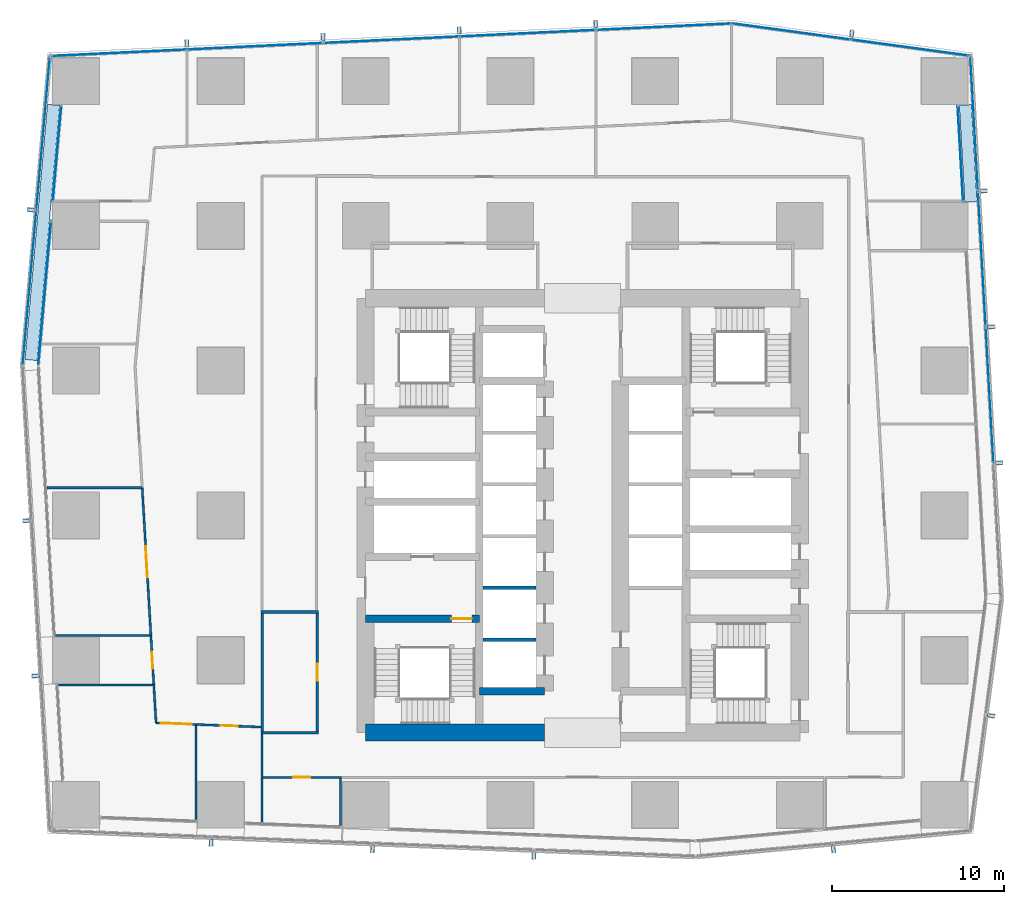
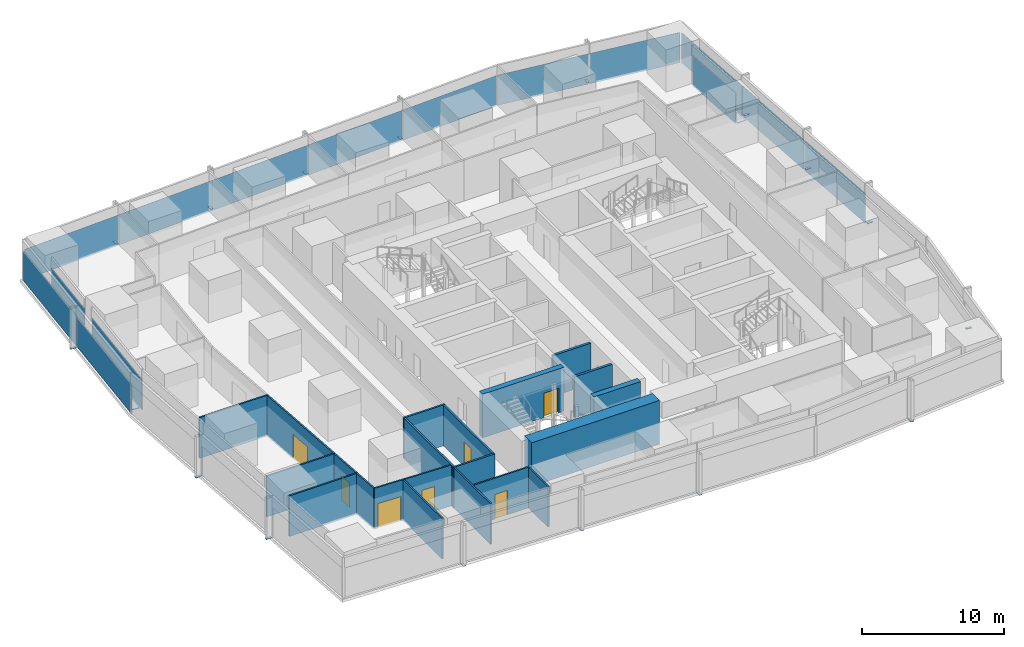
# One storey, part 24 of 36: 33 plates, 21 walls, 7 doors, 7 openings, 7 elements without a shape of their own.
"""IFC4 building model written with IfcOpenShell, lengths in metres."""

from ifc_helpers import new_model, si_unit, direction, frame, frame_2d, origin, origin_2d, place, context, subcontext, project, spatial, rectangle, extrude, material, layer, layer_set, type_object, element, fill, aggregate, save


model = new_model("IFC4")

# Units and contexts
model_context = context("Model", 3, precision=1e-05, world=origin(), true_north=direction((0.0, 1.0)))
body_context = subcontext(model_context, "Body", "Model", "MODEL_VIEW")
ifc_project = project(units=[si_unit("LENGTHUNIT", "METRE"), si_unit("AREAUNIT", "SQUARE_METRE"), si_unit("VOLUMEUNIT", "CUBIC_METRE"), si_unit("PLANEANGLEUNIT", "RADIAN"), si_unit("MASSUNIT", "GRAM", prefix="KILO")], contexts=[model_context])

# Site, building, storey
site_placement = place(None, origin())
site = spatial("IfcSite", under=ifc_project, at=site_placement, CompositionType="ELEMENT")
building_placement = place(site_placement, origin())
building = spatial("IfcBuilding", under=site, at=building_placement, Name="Rekha Terrace Tower", CompositionType="ELEMENT")
storey_placement = place(building_placement, frame((0.0, 0.0, 172.699951171875)))
storey = spatial("IfcBuildingStorey", under=building, at=storey_placement, Name="L43", CompositionType="ELEMENT", Elevation=172.699951171875)

# Plates
ifc_material_1 = material(Name="Steel S355 fixing plate bolted to the slab", Category="steel")
ifc_layer_1 = layer(ifc_material_1, 0.02001953125)
ifc_layer_set_1 = layer_set([ifc_layer_1], Name="Steel S355 fixing plate bolted to the slab")
plate_type_1 = type_object("IfcPlateType", Name="BL2 blade bracket plate 200 x 20", PredefinedType="USERDEFINED", material=ifc_layer_set_1)
for number, where, z_axis, x_axis, name in (
    (1, (16.2470703125, 14.61083984375, 0.0), (0.0, 0.0, 1.0), (-0.039871946621, -0.999204797763, 0.0), "Blade bracket"),
    (2, (25.605712890625, 14.2373046875, 0.0), (0.0, 0.0, 1.0), (-0.039871946621, -0.999204797763, 0.0), "Blade bracket"),
    (3, (34.96435546875, 13.864013671875, 0.0), (0.0, 0.0, 1.0), (-0.039871946621, -0.999204797763, 0.0), "Blade bracket"),
    (4, (52.3515625, 14.2353515625, 0.0), (0.0, 0.0, 1.0), (0.092709466242, -0.995693203185, 0.0), "Blade bracket"),
    (5, (61.51611328125, 21.979736328125, 0.0), (0.0, 0.0, 1.0), (0.991342269735, -0.131303100637, 0.0), "Blade bracket"),
    (6, (61.9609375, 36.655029296875, 0.0), (0.0, 0.0, 1.0), (0.998392758797, 0.056673619809, 0.0), "Blade bracket"),
    (7, (61.51318359375, 44.5458984375, 0.0), (0.0, 0.0, 1.0), (0.998392758797, 0.056673619809, 0.0), "Blade bracket"),
    (8, (61.065185546875, 52.4365234375, 0.0), (0.0, 0.0, 1.0), (0.998392758797, 0.056673619809, 0.0), "Blade bracket"),
    (9, (53.41796875, 61.568359375, 0.0), (0.0, 0.0, 1.0), (0.134840553943, 0.990867309488, 0.0), "Blade bracket"),
    (10, (38.552978515625, 62.130859375, 0.0), (0.0, 0.0, 1.0), (-0.04775846913, 0.998858913274, 0.0), "Blade bracket"),
    (11, (30.643798828125, 61.752685546875, 0.0), (0.0, 0.0, 1.0), (-0.04775846913, 0.998858913274, 0.0), "Blade bracket"),
    (12, (22.73486328125, 61.37451171875, 0.0), (0.0, 0.0, 1.0), (-0.04775846913, 0.998858913274, 0.0), "Blade bracket"),
    (13, (14.82568359375, 60.996337890625, 0.0), (0.0, 0.0, 1.0), (-0.04775846913, 0.998858913274, 0.0), "Blade bracket"),
    (14, (5.784912109375, 51.34033203125, 0.0), (0.0, 0.0, 1.0), (-0.996124250413, 0.087957249501, 0.0), "Blade bracket"),
    (15, (5.521240234375, 33.301025390625, 0.0), (0.0, 0.0, 1.0), (-0.998271872212, -0.058764522885, 0.0), "Blade bracket"),
    (16, (6.051513671875, 24.293212890625, 0.0), (0.0, 0.0, 1.0), (-0.998271872212, -0.058764522885, 0.0), "Blade bracket"),
):
    element("IfcPlate", number, at=place(storey_placement, frame(where, z_axis=z_axis, x_axis=x_axis)), inside=storey, type_object=plate_type_1, Name=name, ObjectType="BLADE BRACKET", PredefinedType="USERDEFINED", context=body_context, shape_type="SweptSolid", body=[
        extrude(rectangle(XDim=0.429931640625, YDim=0.199951171875, at=origin_2d()), origin(), (0.0, 0.0, 1.0), 0.02001953125),
    ])

# Curtain wall, plate
ifc_material_2 = material(Name="Aluminium framing", Category="aluminium")
curtain_wall_type_1 = type_object("IfcCurtainWallType", Name="CW1 double skin inner glazing", PredefinedType="USERDEFINED", material=ifc_material_2)
curtain_wall_1_placement = place(storey_placement, origin())
curtain_wall_1 = element("IfcCurtainWall", 17, at=curtain_wall_1_placement, inside=storey, type_object=curtain_wall_type_1, Name="CW1 double skin inner glazing", ObjectType="DOUBLE SKIN INNER GLAZING", PredefinedType="USERDEFINED")
ifc_material_3 = material(Name="Double-glazed low-e unit 32", Category="glass")
ifc_layer_2 = layer(ifc_material_3, 0.031982421875)
ifc_layer_set_2 = layer_set([ifc_layer_2], Name="Double-glazed low-e unit 32")
plate_type_2 = type_object("IfcPlateType", Name="CW1 jumbo vision panel, double-glazed low-e unit 32", PredefinedType="CURTAIN_PANEL", material=ifc_layer_set_2)
plate_1_placement = place(storey_placement, frame((59.720458984375, 54.60009765625, 0.0), z_axis=(0.0, 0.0, 1.0), x_axis=(-0.056673194929, 0.998392782915, 0.0)))
plate_1 = element("IfcPlate", 18, at=plate_1_placement, type_object=plate_type_2, Name="CW1 panel 1.1", PredefinedType="CURTAIN_PANEL", context=body_context, shape_type="SweptSolid", body=[
    extrude(rectangle(XDim=5.5283203125, YDim=0.031982421875, at=origin_2d()), origin(), (0.0, 0.0, 1.0), 2.60009765625),
])
aggregate(curtain_wall_1, [plate_1])

curtain_wall_2_placement = place(storey_placement, origin())
curtain_wall_2 = element("IfcCurtainWall", 19, at=curtain_wall_2_placement, inside=storey, type_object=curtain_wall_type_1, Name="CW1 double skin inner glazing", ObjectType="DOUBLE SKIN INNER GLAZING", PredefinedType="USERDEFINED")
plate_2_placement = place(storey_placement, frame((7.297607421875, 54.60009765625, 0.0), z_axis=(0.0, 0.0, 1.0), x_axis=(-0.087957985453, -0.996124185428, 0.0)))
plate_2 = element("IfcPlate", 20, at=plate_2_placement, type_object=plate_type_2, Name="CW1 panel 1.1", PredefinedType="CURTAIN_PANEL", context=body_context, shape_type="SweptSolid", body=[
    extrude(rectangle(XDim=5.535400390625, YDim=0.031982421875, at=origin_2d()), origin(), (0.0, 0.0, 1.0), 2.60009765625),
])
aggregate(curtain_wall_2, [plate_2])

curtain_wall_3_placement = place(storey_placement, origin())
curtain_wall_3 = element("IfcCurtainWall", 21, at=curtain_wall_3_placement, inside=storey, type_object=curtain_wall_type_1, Name="CW1 double skin inner glazing", ObjectType="DOUBLE SKIN INNER GLAZING", PredefinedType="USERDEFINED")
plate_3_placement = place(storey_placement, frame((6.580322265625, 46.477294921875, 0.0), z_axis=(0.0, 0.0, 1.0), x_axis=(-0.087957985558, -0.996124185419, 0.0)))
plate_3 = element("IfcPlate", 22, at=plate_3_placement, type_object=plate_type_2, Name="CW1 panel 1.1", PredefinedType="CURTAIN_PANEL", context=body_context, shape_type="SweptSolid", body=[
    extrude(rectangle(XDim=8.35791015625, YDim=0.031982421875, at=origin_2d()), origin(), (0.0, 0.0, 1.0), 2.60009765625),
])
aggregate(curtain_wall_3, [plate_3])

# Curtain wall, plates
curtain_wall_type_2 = type_object("IfcCurtainWallType", Name="CW2 double skin outer glazing", PredefinedType="USERDEFINED", material=ifc_material_2)
curtain_wall_4_placement = place(storey_placement, origin())
curtain_wall_4 = element("IfcCurtainWall", 23, at=curtain_wall_4_placement, inside=storey, type_object=curtain_wall_type_2, Name="CW2 double skin outer glazing", ObjectType="DOUBLE SKIN OUTER GLAZING", PredefinedType="USERDEFINED")
ifc_material_4 = material(Name="Toughened single glazing 12", Category="glass")
ifc_layer_3 = layer(ifc_material_4, 0.011962890625)
ifc_layer_set_3 = layer_set([ifc_layer_3], Name="Toughened single glazing 12")
plate_type_3 = type_object("IfcPlateType", Name="CW2 jumbo vision panel, toughened single glazing 12", PredefinedType="CURTAIN_PANEL", material=ifc_layer_set_3)
plate_4_placement = place(storey_placement, frame((61.41748046875, 40.582275390625, 0.0), z_axis=(0.0, 0.0, 1.0), x_axis=(-0.05667319486, 0.998392782919, 0.0)))
plate_4 = element("IfcPlate", 24, at=plate_4_placement, type_object=plate_type_3, Name="CW2 panel 2.1", PredefinedType="CURTAIN_PANEL", context=body_context, shape_type="SweptSolid", body=[
    extrude(rectangle(XDim=7.823486328125, YDim=0.011962890625, at=origin_2d()), origin(), (0.0, 0.0, 1.0), 2.60009765625),
])
plate_5_placement = place(storey_placement, frame((60.9697265625, 48.47314453125, 0.0), z_axis=(0.0, 0.0, 1.0), x_axis=(-0.05667319486, 0.998392782919, 0.0)))
plate_5 = element("IfcPlate", 25, at=plate_5_placement, type_object=plate_type_3, Name="CW2 panel 3.1", PredefinedType="CURTAIN_PANEL", context=body_context, shape_type="SweptSolid", body=[
    extrude(rectangle(XDim=7.823486328125, YDim=0.011962890625, at=origin_2d()), origin(), (0.0, 0.0, 1.0), 2.60009765625),
])
plate_6_placement = place(storey_placement, frame((60.522705078125, 56.343994140625, 0.0), z_axis=(0.0, 0.0, 1.0), x_axis=(-0.05667319486, 0.998392782919, 0.0)))
plate_6 = element("IfcPlate", 26, at=plate_6_placement, type_object=plate_type_3, Name="CW2 panel 4.1", PredefinedType="CURTAIN_PANEL", context=body_context, shape_type="SweptSolid", body=[
    extrude(rectangle(XDim=7.783447265625, YDim=0.011962890625, at=origin_2d()), origin(), (0.0, 0.0, 1.0), 2.60009765625),
])
aggregate(curtain_wall_4, [plate_4, plate_5, plate_6])

curtain_wall_5_placement = place(storey_placement, origin())
curtain_wall_5 = element("IfcCurtainWall", 27, at=curtain_wall_5_placement, inside=storey, type_object=curtain_wall_type_2, Name="CW2 double skin outer glazing", ObjectType="DOUBLE SKIN OUTER GLAZING", PredefinedType="USERDEFINED")
plate_7_placement = place(storey_placement, frame((6.498779296875, 55.78466796875, 0.0), z_axis=(0.0, 0.0, 1.0), x_axis=(-0.087957985453, -0.996124185428, 0.0)))
plate_7 = element("IfcPlate", 28, at=plate_7_placement, type_object=plate_type_3, Name="CW2 panel 1.1", PredefinedType="CURTAIN_PANEL", context=body_context, shape_type="SweptSolid", body=[
    extrude(rectangle(XDim=8.899658203125, YDim=0.011962890625, at=origin_2d()), origin(), (0.0, 0.0, 1.0), 2.60009765625),
])
plate_8_placement = place(storey_placement, frame((5.705322265625, 46.800048828125, 0.0), z_axis=(0.0, 0.0, 1.0), x_axis=(-0.087957985453, -0.996124185428, 0.0)))
plate_8 = element("IfcPlate", 29, at=plate_8_placement, type_object=plate_type_3, Name="CW2 panel 2.1", PredefinedType="CURTAIN_PANEL", context=body_context, shape_type="SweptSolid", body=[
    extrude(rectangle(XDim=8.9794921875, YDim=0.011962890625, at=origin_2d()), origin(), (0.0, 0.0, 1.0), 2.60009765625),
])
aggregate(curtain_wall_5, [plate_7, plate_8])

curtain_wall_type_3 = type_object("IfcCurtainWallType", Name="CW3 north unitised glazing", PredefinedType="USERDEFINED", material=ifc_material_2)
curtain_wall_6_placement = place(storey_placement, origin())
curtain_wall_6 = element("IfcCurtainWall", 30, at=curtain_wall_6_placement, inside=storey, type_object=curtain_wall_type_3, Name="CW3 unitised curtain wall", ObjectType="UNITISED CURTAIN WALL", PredefinedType="USERDEFINED")
ifc_material_5 = material(Name="Double-glazed unit 28", Category="glass")
ifc_layer_4 = layer(ifc_material_5, 0.028076171875)
ifc_layer_set_4 = layer_set([ifc_layer_4], Name="Double-glazed unit 28")
plate_type_4 = type_object("IfcPlateType", Name="CW3 jumbo vision panel, double-glazed unit 28", PredefinedType="CURTAIN_PANEL", material=ifc_layer_set_4)
plate_9_placement = place(storey_placement, frame((56.797119140625, 60.745361328125, 0.0), z_axis=(0.0, 0.0, 1.0), x_axis=(-0.990867270504, 0.134840840416, 0.0)))
plate_9 = element("IfcPlate", 31, at=plate_9_placement, type_object=plate_type_4, Name="CW3 panel 1.1", PredefinedType="CURTAIN_PANEL", context=body_context, shape_type="SweptSolid", body=[
    extrude(rectangle(XDim=6.8486328125, YDim=0.028076171875, at=origin_2d()), origin(), (0.0, 0.0, 1.0), 2.60009765625),
])
plate_10_placement = place(storey_placement, frame((49.906982421875, 61.682861328125, 0.0), z_axis=(0.0, 0.0, 1.0), x_axis=(-0.990867270504, 0.134840840416, 0.0)))
plate_10 = element("IfcPlate", 32, at=plate_10_placement, type_object=plate_type_4, Name="CW3 panel 2.1", PredefinedType="CURTAIN_PANEL", context=body_context, shape_type="SweptSolid", body=[
    extrude(rectangle(XDim=6.918701171875, YDim=0.028076171875, at=origin_2d()), origin(), (0.0, 0.0, 1.0), 2.60009765625),
])
aggregate(curtain_wall_6, [plate_9, plate_10])

curtain_wall_7_placement = place(storey_placement, origin())
curtain_wall_7 = element("IfcCurtainWall", 33, at=curtain_wall_7_placement, inside=storey, type_object=curtain_wall_type_3, Name="CW3 unitised curtain wall", ObjectType="UNITISED CURTAIN WALL", PredefinedType="USERDEFINED")
plate_11_placement = place(storey_placement, frame((42.50732421875, 61.95947265625, 0.0), z_axis=(0.0, 0.0, 1.0), x_axis=(-0.998858906204, -0.047758616983, 0.0)))
plate_11 = element("IfcPlate", 34, at=plate_11_placement, type_object=plate_type_4, Name="CW3 panel 1.1", PredefinedType="CURTAIN_PANEL", context=body_context, shape_type="SweptSolid", body=[
    extrude(rectangle(XDim=7.81298828125, YDim=0.028076171875, at=origin_2d()), origin(), (0.0, 0.0, 1.0), 2.60009765625),
])
plate_12_placement = place(storey_placement, frame((34.61572265625, 61.58203125, 0.0), z_axis=(0.0, 0.0, 1.0), x_axis=(-0.998858906204, -0.047758616983, 0.0)))
plate_12 = element("IfcPlate", 35, at=plate_12_placement, type_object=plate_type_4, Name="CW3 panel 2.1", PredefinedType="CURTAIN_PANEL", context=body_context, shape_type="SweptSolid", body=[
    extrude(rectangle(XDim=7.84814453125, YDim=0.028076171875, at=origin_2d()), origin(), (0.0, 0.0, 1.0), 2.60009765625),
])
plate_13_placement = place(storey_placement, frame((26.70654296875, 61.203857421875, 0.0), z_axis=(0.0, 0.0, 1.0), x_axis=(-0.998858906204, -0.047758616983, 0.0)))
plate_13 = element("IfcPlate", 36, at=plate_13_placement, type_object=plate_type_4, Name="CW3 panel 3.1", PredefinedType="CURTAIN_PANEL", context=body_context, shape_type="SweptSolid", body=[
    extrude(rectangle(XDim=7.84814453125, YDim=0.028076171875, at=origin_2d()), origin(), (0.0, 0.0, 1.0), 2.60009765625),
])
plate_14_placement = place(storey_placement, frame((18.79736328125, 60.82568359375, 0.0), z_axis=(0.0, 0.0, 1.0), x_axis=(-0.998858906204, -0.047758616983, 0.0)))
plate_14 = element("IfcPlate", 37, at=plate_14_placement, type_object=plate_type_4, Name="CW3 panel 4.1", PredefinedType="CURTAIN_PANEL", context=body_context, shape_type="SweptSolid", body=[
    extrude(rectangle(XDim=7.84814453125, YDim=0.028076171875, at=origin_2d()), origin(), (0.0, 0.0, 1.0), 2.60009765625),
])
plate_15_placement = place(storey_placement, frame((10.906005859375, 60.448486328125, 0.0), z_axis=(0.0, 0.0, 1.0), x_axis=(-0.998858906204, -0.047758616983, 0.0)))
plate_15 = element("IfcPlate", 38, at=plate_15_placement, type_object=plate_type_4, Name="CW3 panel 5.1", PredefinedType="CURTAIN_PANEL", context=body_context, shape_type="SweptSolid", body=[
    extrude(rectangle(XDim=7.81298828125, YDim=0.028076171875, at=origin_2d()), origin(), (0.0, 0.0, 1.0), 2.60009765625),
])
aggregate(curtain_wall_7, [plate_11, plate_12, plate_13, plate_14, plate_15])

# Plates
ifc_material_6 = material(Name="Galvanised steel open grating", Category="steel")
ifc_layer_5 = layer(ifc_material_6, 0.050048828125)
ifc_layer_set_5 = layer_set([ifc_layer_5], Name="Galvanised steel open grating")
plate_type_5 = type_object("IfcPlateType", Name="GT1 cavity walkway grating 50", PredefinedType="USERDEFINED", material=ifc_layer_set_5)
plate_16_placement = place(storey_placement, frame((60.170654296875, 54.606689453125, 0.0), z_axis=(0.0, 0.0, 1.0), x_axis=(-0.05667319486, 0.998392782919, 0.0)))
element("IfcPlate", 39, at=plate_16_placement, inside=storey, type_object=plate_type_5, Name="Cavity walkway grating", ObjectType="CAVITY WALKWAY GRATING", PredefinedType="USERDEFINED", context=body_context, shape_type="SweptSolid", body=[
    extrude(rectangle(XDim=5.64013671875, YDim=0.705078125, at=origin_2d()), origin(), (0.0, 0.0, 1.0), 0.050048828125),
])
plate_17_placement = place(storey_placement, frame((6.441650390625, 50.02294921875, 0.0), z_axis=(0.0, 0.0, 1.0), x_axis=(-0.087957985471, -0.996124185427, 0.0)))
element("IfcPlate", 40, at=plate_17_placement, inside=storey, type_object=plate_type_5, Name="Cavity walkway grating", ObjectType="CAVITY WALKWAY GRATING", PredefinedType="USERDEFINED", context=body_context, shape_type="SweptSolid", body=[
    extrude(rectangle(XDim=14.863525390625, YDim=0.705078125, at=origin_2d()), origin(), (0.0, 0.0, 1.0), 0.050048828125),
])

# Wall
ifc_material_7 = material(Name="Concrete M60", Category="concrete")
ifc_layer_6 = layer(ifc_material_7, 0.449951171875)
ifc_layer_set_6 = layer_set([ifc_layer_6], Name="Concrete M60")
wall_type_1 = type_object("IfcWallType", Name="CI3 450 core internal shear wall", PredefinedType="SHEAR", material=ifc_layer_set_6)
wall_1_placement = place(storey_placement, frame((31.800048828125, 23.39990234375, 0.0), z_axis=(0.0, 0.0, 1.0), x_axis=(1.0, 0.0, 0.0)))
element("IfcWall", 41, at=wall_1_placement, inside=storey, type_object=wall_type_1, Name="Core wall Y234W L43", PredefinedType="SHEAR", context=body_context, shape_type="SweptSolid", body=[
    extrude(rectangle(XDim=3.800048828125, YDim=0.449951171875, at=frame_2d((1.89990234375, 0.0))), origin(), (0.0, 0.0, 1.0), 3.75),
])

# Wall, opening, door
wall_2_placement = place(storey_placement, frame((25.199951171875, 27.60009765625, 0.0), z_axis=(0.0, 0.0, 1.0), x_axis=(1.0, 0.0, 0.0)))
wall_2 = element("IfcWall", 42, at=wall_2_placement, inside=storey, type_object=wall_type_1, Name="Core wall Y276W L43", PredefinedType="SHEAR", context=body_context, shape_type="SweptSolid", body=[
    extrude(rectangle(XDim=6.60009765625, YDim=0.449951171875, at=frame_2d((3.300048828125, 0.0))), origin(), (0.0, 0.0, 1.0), 3.75),
])
opening_1_placement = place(wall_2_placement, frame((4.97509765625, 0.0, 0.0)))
opening_1 = element("IfcOpeningElement", 43, at=opening_1_placement, cuts=wall_2, Name="Opening D1", PredefinedType="OPENING", context=body_context, shape_type="SweptSolid", body=[
    extrude(rectangle(XDim=1.199951171875, YDim=2.10009765625, at=frame_2d((0.60009765625, 1.050048828125))), frame((0.0, 0.23486328125, 0.0), z_axis=(0.0, -1.0, 0.0), x_axis=(1.0, 0.0, 0.0)), (0.0, 0.0, 1.0), 0.469970703125),
])
ifc_material_8 = material(Name="Steel fire door", Category="steel")
door_type_1 = type_object("IfcDoorType", Name="D1 1200x2100 stair fire door", OperationType="SINGLE_SWING_RIGHT", PredefinedType="DOOR", material=ifc_material_8)
door_1_placement = place(opening_1_placement, origin())
door_1 = element("IfcDoor", 44, at=door_1_placement, inside=storey, type_object=door_type_1, Name="Stair ST1 door L43", OperationType="SINGLE_SWING_RIGHT", OverallHeight=2.10009765625, OverallWidth=1.199951171875, PredefinedType="DOOR", context=body_context, shape_type="SweptSolid", body=[
    extrude(rectangle(XDim=1.199951171875, YDim=2.10009765625, at=frame_2d((0.60009765625, 1.050048828125))), frame((0.0, 0.02490234375, 0.0), z_axis=(0.0, -1.0, 0.0), x_axis=(1.0, 0.0, 0.0)), (0.0, 0.0, 1.0), 0.050048828125),
])
fill(opening_1, door_1)

# Walls
ifc_layer_7 = layer(ifc_material_7, 1.0)
ifc_layer_set_7 = layer_set([ifc_layer_7], Name="Concrete M60")
wall_type_2 = type_object("IfcWallType", Name="SW3 1000 core outer shear wall", PredefinedType="SHEAR", material=ifc_layer_set_7)
wall_3_placement = place(storey_placement, frame((25.199951171875, 21.0, 0.0), z_axis=(0.0, 0.0, 1.0), x_axis=(1.0, 0.0, 0.0)))
element("IfcWall", 45, at=wall_3_placement, inside=storey, type_object=wall_type_2, Name="Core wall S1 L43", PredefinedType="SHEAR", context=body_context, shape_type="SweptSolid", body=[
    extrude(rectangle(XDim=10.400146484375, YDim=1.0, at=frame_2d((5.2001953125, 0.0))), origin(), (0.0, 0.0, 1.0), 3.75),
])
ifc_material_9 = material(Name="Concrete block masonry, 1 hour", Category="masonry")
ifc_layer_8 = layer(ifc_material_9, 0.14990234375)
ifc_layer_set_8 = layer_set([ifc_layer_8], Name="Concrete block masonry, 1 hour")
wall_type_3 = type_object("IfcWallType", Name="WP2 150 tenancy partition", PredefinedType="PARTITIONING", material=ifc_layer_set_8)
for number, where, z_axis, x_axis, name in (
    (46, (19.125, 21.0, 0.0), (0.0, 0.0, 1.0), (1.0, 0.0, 0.0), "Men's WC wall L43"),
    (47, (19.125, 28.0, 0.0), (0.0, 0.0, 1.0), (1.0, 0.0, 0.0), "Men's WC wall L43"),
):
    element("IfcWall", number, at=place(storey_placement, frame(where, z_axis=z_axis, x_axis=x_axis)), inside=storey, type_object=wall_type_3, Name=name, PredefinedType="PARTITIONING", context=body_context, shape_type="SweptSolid", body=[
        extrude(rectangle(XDim=3.35009765625, YDim=0.14990234375, at=frame_2d((1.675048828125, 0.0))), origin(), (0.0, 0.0, 1.0), 3.5),
    ])
wall_4_placement = place(storey_placement, frame((19.199951171875, 21.074951171875, 0.0), z_axis=(0.0, 0.0, 1.0), x_axis=(0.0, 1.0, 0.0)))
element("IfcWall", 48, at=wall_4_placement, inside=storey, type_object=wall_type_3, Name="Men's WC wall L43", PredefinedType="PARTITIONING", context=body_context, shape_type="SweptSolid", body=[
    extrude(rectangle(XDim=6.85009765625, YDim=0.14990234375, at=frame_2d((3.425048828125, 0.0))), origin(), (0.0, 0.0, 1.0), 3.5),
])

# Wall, opening, door
wall_5_placement = place(storey_placement, frame((22.39990234375, 21.074951171875, 0.0), z_axis=(0.0, 0.0, 1.0), x_axis=(0.0, 1.0, 0.0)))
wall_5 = element("IfcWall", 49, at=wall_5_placement, inside=storey, type_object=wall_type_3, Name="Men's WC wall L43", PredefinedType="PARTITIONING", context=body_context, shape_type="SweptSolid", body=[
    extrude(rectangle(XDim=6.85009765625, YDim=0.14990234375, at=frame_2d((3.425048828125, 0.0))), origin(), (0.0, 0.0, 1.0), 3.5),
])
opening_2_placement = place(wall_5_placement, frame((2.925048828125, 0.0, 0.0)))
opening_2 = element("IfcOpeningElement", 50, at=opening_2_placement, cuts=wall_5, Name="Opening D3", PredefinedType="OPENING", context=body_context, shape_type="SweptSolid", body=[
    extrude(rectangle(XDim=1.0, YDim=2.10009765625, at=frame_2d((0.5, 1.050048828125))), frame((0.0, 0.0849609375, 0.0), z_axis=(0.0, -1.0, 0.0), x_axis=(1.0, 0.0, 0.0)), (0.0, 0.0, 1.0), 0.169921875),
])
ifc_material_10 = material(Name="Laminated timber fire door", Category="wood")
door_type_2 = type_object("IfcDoorType", Name="D3 1000x2100 WC door", OperationType="SINGLE_SWING_LEFT", PredefinedType="DOOR", material=ifc_material_10)
door_2_placement = place(opening_2_placement, origin())
door_2 = element("IfcDoor", 51, at=door_2_placement, inside=storey, type_object=door_type_2, Name="Door men's wc L43", OperationType="SINGLE_SWING_LEFT", OverallHeight=2.10009765625, OverallWidth=1.0, PredefinedType="DOOR", context=body_context, shape_type="SweptSolid", body=[
    extrude(rectangle(XDim=1.0, YDim=2.10009765625, at=frame_2d((0.5, 1.050048828125))), frame((0.0, 0.02490234375, 0.0), z_axis=(0.0, -1.0, 0.0), x_axis=(1.0, 0.0, 0.0)), (0.0, 0.0, 1.0), 0.050048828125),
])
fill(opening_2, door_2)

# Walls
ifc_material_11 = material(Name="Two layers of fire-rated gypsum board each side on steel studs, acoustic quilt, 1 hour", Category="steel")
ifc_layer_9 = layer(ifc_material_11, 0.125)
ifc_layer_set_9 = layer_set([ifc_layer_9], Name="Two layers of fire-rated gypsum board each side on steel studs, acoustic quilt, 1 hour")
wall_type_4 = type_object("IfcWallType", Name="WP3 125 office partition", PredefinedType="PARTITIONING", material=ifc_layer_set_9)
wall_6_placement = place(storey_placement, frame((23.757080078125, 15.612060546875, 0.0), z_axis=(0.0, 0.0, 1.0), x_axis=(0.0, 1.0, 0.0)))
element("IfcWall", 52, at=wall_6_placement, inside=storey, type_object=wall_type_4, Name="Partition L43-02", PredefinedType="PARTITIONING", context=body_context, shape_type="SweptSolid", body=[
    extrude(rectangle(XDim=2.724853515625, YDim=0.125, at=frame_2d((1.3623046875, 0.0))), origin(), (0.0, 0.0, 1.0), 3.5),
])
wall_7_placement = place(storey_placement, frame((12.240966796875, 35.208984375, 0.0), z_axis=(0.0, 0.0, 1.0), x_axis=(-1.0, 0.0, 0.0)))
element("IfcWall", 53, at=wall_7_placement, inside=storey, type_object=wall_type_4, Name="Partition L43-14", PredefinedType="PARTITIONING", context=body_context, shape_type="SweptSolid", body=[
    extrude(rectangle(XDim=5.530029296875, YDim=0.125, at=frame_2d((2.76513671875, 0.0))), origin(), (0.0, 0.0, 1.0), 3.5),
])

# Wall, opening, door
wall_8_placement = place(storey_placement, frame((12.240966796875, 35.2080078125, 0.0), z_axis=(0.0, 0.0, 1.0), x_axis=(0.058746940791, -0.998272907049, 0.0)))
wall_8 = element("IfcWall", 54, at=wall_8_placement, inside=storey, type_object=wall_type_4, Name="Partition L43-15", PredefinedType="PARTITIONING", context=body_context, shape_type="SweptSolid", body=[
    extrude(rectangle(XDim=8.614990234375, YDim=0.125, at=frame_2d((4.3076171875, 0.0))), origin(), (0.0, 0.0, 1.0), 3.5),
])
opening_3_placement = place(wall_8_placement, frame((3.406982421875, 0.0, 0.0)))
opening_3 = element("IfcOpeningElement", 55, at=opening_3_placement, cuts=wall_8, Name="Opening D8", PredefinedType="OPENING", context=body_context, shape_type="SweptSolid", body=[
    extrude(rectangle(XDim=1.800048828125, YDim=2.10009765625, at=frame_2d((0.89990234375, 1.050048828125))), frame((0.0, 0.072509765625, 0.0), z_axis=(0.0, -1.0, 0.0), x_axis=(1.0, 0.0, 0.0)), (0.0, 0.0, 1.0), 0.14501953125),
])
ifc_material_12 = material(Name="Timber fire door", Category="wood")
door_type_3 = type_object("IfcDoorType", Name="D8 1800x2100 double leaf door", OperationType="DOUBLE_DOOR_SINGLE_SWING", PredefinedType="DOOR", material=ifc_material_12)
door_3_placement = place(opening_3_placement, origin())
door_3 = element("IfcDoor", 56, at=door_3_placement, inside=storey, type_object=door_type_3, Name="Door dining pantry L43", OperationType="DOUBLE_DOOR_SINGLE_SWING", OverallHeight=2.10009765625, OverallWidth=1.800048828125, PredefinedType="DOOR", context=body_context, shape_type="SweptSolid", body=[
    extrude(rectangle(XDim=1.800048828125, YDim=2.10009765625, at=frame_2d((0.89990234375, 1.050048828125))), frame((0.0, 0.02490234375, 0.0), z_axis=(0.0, -1.0, 0.0), x_axis=(1.0, 0.0, 0.0)), (0.0, 0.0, 1.0), 0.050048828125),
])
fill(opening_3, door_3)

# Wall
wall_9_placement = place(storey_placement, frame((12.681884765625, 26.64306640625, 0.0), z_axis=(0.0, 0.0, 1.0), x_axis=(-1.0, 0.0, 0.0)))
element("IfcWall", 57, at=wall_9_placement, inside=storey, type_object=wall_type_4, Name="Partition L43-15", PredefinedType="PARTITIONING", context=body_context, shape_type="SweptSolid", body=[
    extrude(rectangle(XDim=5.4658203125, YDim=0.125, at=frame_2d((2.73291015625, 0.0))), origin(), (0.0, 0.0, 1.0), 3.5),
])

# Wall, opening, door
wall_10_placement = place(storey_placement, frame((12.7470703125, 26.60693359375, 0.0), z_axis=(0.0, 0.0, 1.0), x_axis=(0.058894643304, -0.998264204001, 0.0)))
wall_10 = element("IfcWall", 58, at=wall_10_placement, inside=storey, type_object=wall_type_4, Name="Partition L43-16", PredefinedType="PARTITIONING", context=body_context, shape_type="SweptSolid", body=[
    extrude(rectangle(XDim=2.81884765625, YDim=0.125, at=frame_2d((1.409423828125, 0.0))), origin(), (0.0, 0.0, 1.0), 3.5),
])
opening_4_placement = place(wall_10_placement, frame((0.908935546875, 0.0, 0.0)))
opening_4 = element("IfcOpeningElement", 59, at=opening_4_placement, cuts=wall_10, Name="Opening D9", PredefinedType="OPENING", context=body_context, shape_type="SweptSolid", body=[
    extrude(rectangle(XDim=1.0, YDim=2.10009765625, at=frame_2d((0.5, 1.050048828125))), frame((0.0, 0.072509765625, 0.0), z_axis=(0.0, -1.0, 0.0), x_axis=(1.0, 0.0, 0.0)), (0.0, 0.0, 1.0), 0.14501953125),
])
door_type_4 = type_object("IfcDoorType", Name="D9 1000x2100 office door", OperationType="SINGLE_SWING_LEFT", PredefinedType="DOOR", material=ifc_material_12)
door_4_placement = place(opening_4_placement, origin())
door_4 = element("IfcDoor", 60, at=door_4_placement, inside=storey, type_object=door_type_4, Name="Door quiet room L43", OperationType="SINGLE_SWING_LEFT", OverallHeight=2.10009765625, OverallWidth=1.0, PredefinedType="DOOR", context=body_context, shape_type="SweptSolid", body=[
    extrude(rectangle(XDim=1.0, YDim=2.10009765625, at=frame_2d((0.5, 1.050048828125))), frame((0.0, 0.02490234375, 0.0), z_axis=(0.0, -1.0, 0.0), x_axis=(1.0, 0.0, 0.0)), (0.0, 0.0, 1.0), 0.050048828125),
])
fill(opening_4, door_4)

# Walls
wall_11_placement = place(storey_placement, frame((12.85205078125, 23.757080078125, 0.0), z_axis=(0.0, 0.0, 1.0), x_axis=(-1.0, 0.0, 0.0)))
element("IfcWall", 61, at=wall_11_placement, inside=storey, type_object=wall_type_4, Name="Partition L43-16", PredefinedType="PARTITIONING", context=body_context, shape_type="SweptSolid", body=[
    extrude(rectangle(XDim=5.466064453125, YDim=0.125, at=frame_2d((2.73291015625, 0.0))), origin(), (0.0, 0.0, 1.0), 3.5),
])
wall_12_placement = place(storey_placement, frame((15.35791015625, 21.409912109375, 0.0), z_axis=(0.0, 0.0, 1.0), x_axis=(0.0, -1.0, 0.0)))
element("IfcWall", 62, at=wall_12_placement, inside=storey, type_object=wall_type_4, Name="Partition L43-17", PredefinedType="PARTITIONING", context=body_context, shape_type="SweptSolid", body=[
    extrude(rectangle(XDim=5.4619140625, YDim=0.125, at=frame_2d((2.73095703125, 0.0))), origin(), (0.0, 0.0, 1.0), 3.5),
])
wall_13_placement = place(storey_placement, frame((12.9130859375, 23.7919921875, 0.0), z_axis=(0.0, 0.0, 1.0), x_axis=(0.058632247686, -0.998279649964, 0.0)))
element("IfcWall", 63, at=wall_13_placement, inside=storey, type_object=wall_type_4, Name="Partition L43-17", PredefinedType="PARTITIONING", context=body_context, shape_type="SweptSolid", body=[
    extrude(rectangle(XDim=2.23193359375, YDim=0.125, at=frame_2d((1.115966796875, 0.0))), origin(), (0.0, 0.0, 1.0), 3.5),
])

# Wall, opening, door
wall_14_placement = place(storey_placement, frame((13.0439453125, 21.56396484375, 0.0), z_axis=(0.0, 0.0, 1.0), x_axis=(0.999216969068, -0.039565751945, 0.0)))
wall_14 = element("IfcWall", 64, at=wall_14_placement, inside=storey, type_object=wall_type_4, Name="Partition L43-17", PredefinedType="PARTITIONING", context=body_context, shape_type="SweptSolid", body=[
    extrude(rectangle(XDim=2.35107421875, YDim=0.125, at=frame_2d((1.175537109375, 0.0))), origin(), (0.0, 0.0, 1.0), 3.5),
])
opening_5_placement = place(wall_14_placement, frame((0.27490234375, 0.0, 0.0)))
opening_5 = element("IfcOpeningElement", 65, at=opening_5_placement, cuts=wall_14, Name="Opening D8", PredefinedType="OPENING", context=body_context, shape_type="SweptSolid", body=[
    extrude(rectangle(XDim=1.800048828125, YDim=2.10009765625, at=frame_2d((0.89990234375, 1.050048828125))), frame((0.0, 0.072509765625, 0.0), z_axis=(0.0, -1.0, 0.0), x_axis=(1.0, 0.0, 0.0)), (0.0, 0.0, 1.0), 0.14501953125),
])
door_5_placement = place(opening_5_placement, origin())
door_5 = element("IfcDoor", 66, at=door_5_placement, inside=storey, type_object=door_type_3, Name="Door club lounge L43", OperationType="DOUBLE_DOOR_SINGLE_SWING", OverallHeight=2.10009765625, OverallWidth=1.800048828125, PredefinedType="DOOR", context=body_context, shape_type="SweptSolid", body=[
    extrude(rectangle(XDim=1.800048828125, YDim=2.10009765625, at=frame_2d((0.89990234375, 1.050048828125))), frame((0.0, 0.02490234375, 0.0), z_axis=(0.0, -1.0, 0.0), x_axis=(1.0, 0.0, 0.0)), (0.0, 0.0, 1.0), 0.050048828125),
])
fill(opening_5, door_5)

wall_15_placement = place(storey_placement, frame((15.39404296875, 21.469970703125, 0.0), z_axis=(0.0, 0.0, 1.0), x_axis=(0.999214686539, -0.039623354276, 0.0)))
wall_15 = element("IfcWall", 67, at=wall_15_placement, inside=storey, type_object=wall_type_4, Name="Partition L43-18", PredefinedType="PARTITIONING", context=body_context, shape_type="SweptSolid", body=[
    extrude(rectangle(XDim=3.73388671875, YDim=0.125, at=frame_2d((1.866943359375, 0.0))), origin(), (0.0, 0.0, 1.0), 3.5),
])
opening_6_placement = place(wall_15_placement, frame((1.403076171875, 0.0, 0.0)))
opening_6 = element("IfcOpeningElement", 68, at=opening_6_placement, cuts=wall_15, Name="Opening D9", PredefinedType="OPENING", context=body_context, shape_type="SweptSolid", body=[
    extrude(rectangle(XDim=1.0, YDim=2.10009765625, at=frame_2d((0.5, 1.050048828125))), frame((0.0, 0.072509765625, 0.0), z_axis=(0.0, -1.0, 0.0), x_axis=(1.0, 0.0, 0.0)), (0.0, 0.0, 1.0), 0.14501953125),
])
door_6_placement = place(opening_6_placement, origin())
door_6 = element("IfcDoor", 69, at=door_6_placement, inside=storey, type_object=door_type_4, Name="Door staff dining L43", OperationType="SINGLE_SWING_LEFT", OverallHeight=2.10009765625, OverallWidth=1.0, PredefinedType="DOOR", context=body_context, shape_type="SweptSolid", body=[
    extrude(rectangle(XDim=1.0, YDim=2.10009765625, at=frame_2d((0.5, 1.050048828125))), frame((0.0, 0.02490234375, 0.0), z_axis=(0.0, -1.0, 0.0), x_axis=(1.0, 0.0, 0.0)), (0.0, 0.0, 1.0), 0.050048828125),
])
fill(opening_6, door_6)

# Wall
wall_16_placement = place(storey_placement, frame((19.197998046875, 21.073974609375, 0.0), z_axis=(0.0, 0.0, 1.0), x_axis=(0.0, -1.0, 0.0)))
element("IfcWall", 70, at=wall_16_placement, inside=storey, type_object=wall_type_4, Name="Partition L43-18", PredefinedType="PARTITIONING", context=body_context, shape_type="SweptSolid", body=[
    extrude(rectangle(XDim=5.280029296875, YDim=0.125, at=frame_2d((2.64013671875, 0.0))), origin(), (0.0, 0.0, 1.0), 3.5),
])

# Wall, opening, door
wall_17_placement = place(storey_placement, frame((19.260986328125, 18.39990234375, 0.0), z_axis=(0.0, 0.0, 1.0), x_axis=(1.0, 0.0, 0.0)))
wall_17 = element("IfcWall", 71, at=wall_17_placement, inside=storey, type_object=wall_type_4, Name="Partition L43-19", PredefinedType="PARTITIONING", context=body_context, shape_type="SweptSolid", body=[
    extrude(rectangle(XDim=4.531982421875, YDim=0.125, at=frame_2d((2.26611328125, 0.0))), origin(), (0.0, 0.0, 1.0), 3.5),
])
opening_7_placement = place(wall_17_placement, frame((1.736083984375, 0.0, 0.0)))
opening_7 = element("IfcOpeningElement", 72, at=opening_7_placement, cuts=wall_17, Name="Opening D9", PredefinedType="OPENING", context=body_context, shape_type="SweptSolid", body=[
    extrude(rectangle(XDim=1.0, YDim=2.10009765625, at=frame_2d((0.5, 1.050048828125))), frame((0.0, 0.072509765625, 0.0), z_axis=(0.0, -1.0, 0.0), x_axis=(1.0, 0.0, 0.0)), (0.0, 0.0, 1.0), 0.14501953125),
])
door_7_placement = place(opening_7_placement, origin())
door_7 = element("IfcDoor", 73, at=door_7_placement, inside=storey, type_object=door_type_4, Name="Door dining pantry L43", OperationType="SINGLE_SWING_LEFT", OverallHeight=2.10009765625, OverallWidth=1.0, PredefinedType="DOOR", context=body_context, shape_type="SweptSolid", body=[
    extrude(rectangle(XDim=1.0, YDim=2.10009765625, at=frame_2d((0.5, 1.050048828125))), frame((0.0, 0.02490234375, 0.0), z_axis=(0.0, -1.0, 0.0), x_axis=(1.0, 0.0, 0.0)), (0.0, 0.0, 1.0), 0.050048828125),
])
fill(opening_7, door_7)

# Walls
ifc_material_13 = material(Name="Solid concrete block masonry, 2 hour", Category="masonry")
ifc_layer_10 = layer(ifc_material_13, 0.199951171875)
ifc_layer_set_10 = layer_set([ifc_layer_10], Name="Solid concrete block masonry, 2 hour")
wall_type_5 = type_object("IfcWallType", Name="WS1 200 stair and shaft enclosure", PredefinedType="PARTITIONING", material=ifc_layer_set_10)
for number, where, z_axis, x_axis, name in (
    (74, (32.02490234375, 26.39990234375, 0.0), (0.0, 0.0, 1.0), (1.0, 0.0, 0.0), "Lift shaft divider L43"),
    (75, (32.02490234375, 29.39990234375, 0.0), (0.0, 0.0, 1.0), (1.0, 0.0, 0.0), "Lift shaft divider L43"),
):
    element("IfcWall", number, at=place(storey_placement, frame(where, z_axis=z_axis, x_axis=x_axis)), inside=storey, type_object=wall_type_5, Name=name, PredefinedType="PARTITIONING", context=body_context, shape_type="SweptSolid", body=[
        extrude(rectangle(XDim=3.0751953125, YDim=0.199951171875, at=frame_2d((1.53759765625, 0.0))), origin(), (0.0, 0.0, 1.0), 3.5),
    ])

save(model, "model.ifc")
